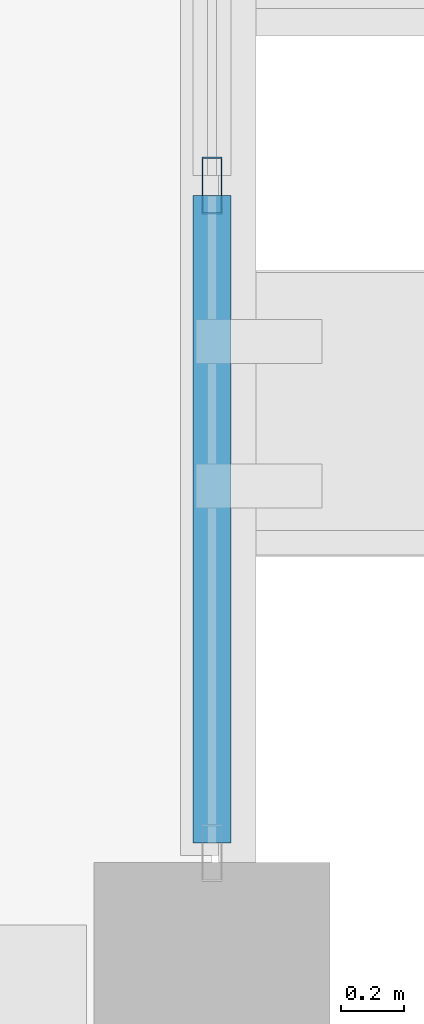
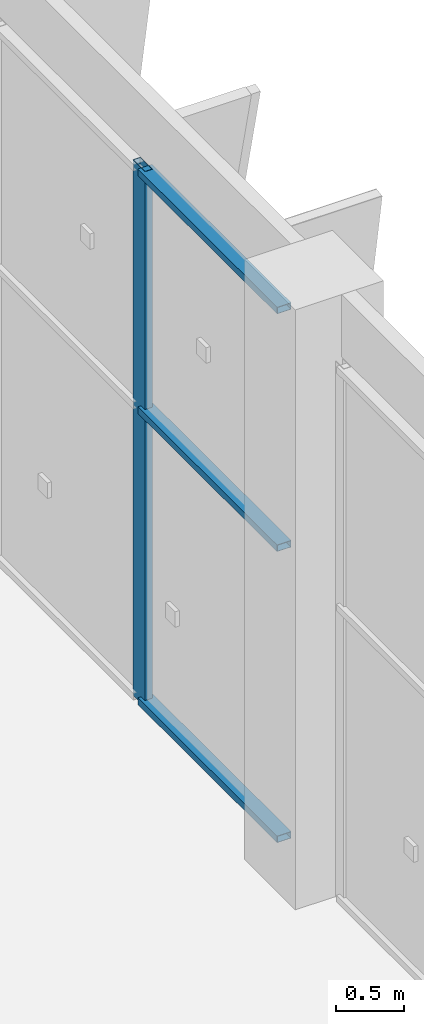
# One storey, part 74 of 189: 4 members, 1 element without a shape of its own.
"""IFC4 building model written with IfcOpenShell, lengths in metres."""

from ifc_helpers import new_model, si_unit, direction, frame, origin, origin_2d, place, context, subcontext, project, spatial, hollow_rectangle, extrude, material, layer, layer_set, material_profile, profile_set, type_object, element, aggregate, save


model = new_model("IFC4")

# Units and contexts
model_context = context("Model", 3, precision=1e-05, world=origin(), true_north=direction((0.0, 1.0)))
body_context = subcontext(model_context, "Body", "Model", "MODEL_VIEW")
ifc_project = project(units=[si_unit("LENGTHUNIT", "METRE"), si_unit("AREAUNIT", "SQUARE_METRE"), si_unit("VOLUMEUNIT", "CUBIC_METRE"), si_unit("PLANEANGLEUNIT", "RADIAN"), si_unit("MASSUNIT", "GRAM", prefix="KILO")], contexts=[model_context])

# Site, building, storey
site_placement = place(None, origin())
site = spatial("IfcSite", under=ifc_project, at=site_placement, CompositionType="ELEMENT")
building_placement = place(site_placement, origin())
building = spatial("IfcBuilding", under=site, at=building_placement, Name="Celestram Park Convention Centre", CompositionType="ELEMENT")
storey_placement = place(building_placement, frame((0.0, 0.0, 5.39990234375)))
storey = spatial("IfcBuildingStorey", under=building, at=storey_placement, Name="L01", CompositionType="ELEMENT", Elevation=5.39990234375)

# Curtain wall, members
ifc_material = material(Name="Anodised Aluminium Alloy 6063-T6", Category="aluminium")
ifc_layer = layer(ifc_material, 0.179931640625)
ifc_layer_set = layer_set([ifc_layer], Name="Anodised Aluminium Alloy 6063-T6")
curtain_wall_type = type_object("IfcCurtainWallType", Name="ARC-CW-645X482", PredefinedType="NOTDEFINED", material=ifc_layer_set)
curtain_wall_placement = place(storey_placement, origin())
curtain_wall = element("IfcCurtainWall", 1, at=curtain_wall_placement, inside=storey, type_object=curtain_wall_type, Name="Unitised curtain wall CU-L01-087", PredefinedType="NOTDEFINED")
ifc_material_profile_1 = material_profile(ifc_material, hollow_rectangle(XDim=0.06494140625, YDim=0.179931640625, WallThickness=0.00390625, at=origin_2d()), Name="ALU65X180X4")
ifc_profile_set_1 = profile_set([ifc_material_profile_1], Name="Anodised Aluminium Alloy 6063-T6")
member_type_1 = type_object("IfcMemberType", Name="ARC-CWM-150", PredefinedType="MULLION", material=ifc_profile_set_1)
member_1_placement = place(storey_placement, frame((144.0, 110.5244140625, 0.0), z_axis=(0.0, 0.0, 1.0), x_axis=(1.0, 0.0, 0.0)))
member_1 = element("IfcMember", 2, at=member_1_placement, type_object=member_type_1, Name="CW-64X48 mullion 3", PredefinedType="MULLION", context=body_context, shape_type="SweptSolid", body=[
    extrude(hollow_rectangle(XDim=0.06494140625, YDim=0.179931640625, WallThickness=0.00390625, at=origin_2d()), origin(), (0.0, 0.0, 1.0), 4.820068359375),
])
ifc_material_profile_2 = material_profile(ifc_material, hollow_rectangle(XDim=0.1201171875, YDim=0.06005859375, WallThickness=0.0029296875, at=origin_2d()), Name="ALU120X60X3")
ifc_profile_set_2 = profile_set([ifc_material_profile_2], Name="Anodised Aluminium Alloy 6063-T6")
member_type_2 = type_object("IfcMemberType", Name="ARC-CWT-120", PredefinedType="USERDEFINED", material=ifc_profile_set_2)
member_2_placement = place(storey_placement, frame((144.0, 110.491943359375, 0.030029296875), z_axis=(0.0, -1.0, 0.0), x_axis=(1.0, 0.0, 0.0)))
member_2 = element("IfcMember", 3, at=member_2_placement, type_object=member_type_2, Name="CW-64X48 transom 3.1", ObjectType="TRANSOM", PredefinedType="USERDEFINED", context=body_context, shape_type="SweptSolid", body=[
    extrude(hollow_rectangle(XDim=0.1201171875, YDim=0.06005859375, WallThickness=0.0029296875, at=origin_2d()), origin(), (0.0, 0.0, 1.0), 2.053955078125),
])
member_3_placement = place(storey_placement, frame((144.0, 110.491943359375, 2.650146484375), z_axis=(0.0, -1.0, 0.0), x_axis=(1.0, 0.0, 0.0)))
member_3 = element("IfcMember", 4, at=member_3_placement, type_object=member_type_2, Name="CW-64X48 transom 3.2", ObjectType="TRANSOM", PredefinedType="USERDEFINED", context=body_context, shape_type="SweptSolid", body=[
    extrude(hollow_rectangle(XDim=0.1201171875, YDim=0.06005859375, WallThickness=0.0029296875, at=origin_2d()), origin(), (0.0, 0.0, 1.0), 2.053955078125),
])
member_4_placement = place(storey_placement, frame((144.0, 110.491943359375, 4.7900390625), z_axis=(0.0, -1.0, 0.0), x_axis=(1.0, 0.0, 0.0)))
member_4 = element("IfcMember", 5, at=member_4_placement, type_object=member_type_2, Name="CW-64X48 transom 3.3", ObjectType="TRANSOM", PredefinedType="USERDEFINED", context=body_context, shape_type="SweptSolid", body=[
    extrude(hollow_rectangle(XDim=0.1201171875, YDim=0.06005859375, WallThickness=0.0029296875, at=origin_2d()), origin(), (0.0, 0.0, 1.0), 2.053955078125),
])
aggregate(curtain_wall, [member_1, member_2, member_3, member_4])

save(model, "model.ifc")
